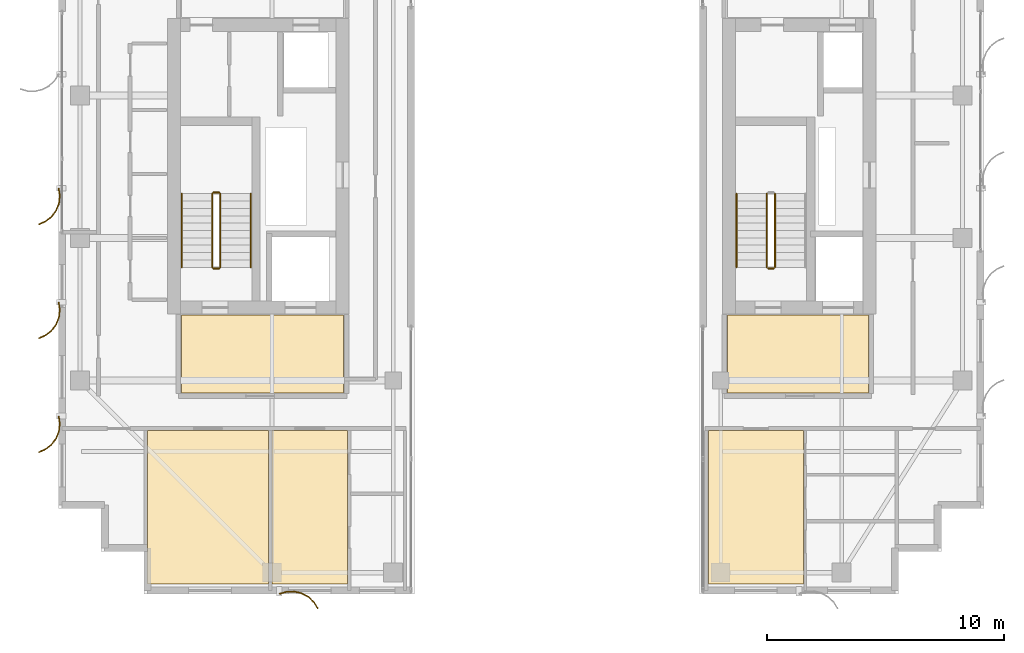
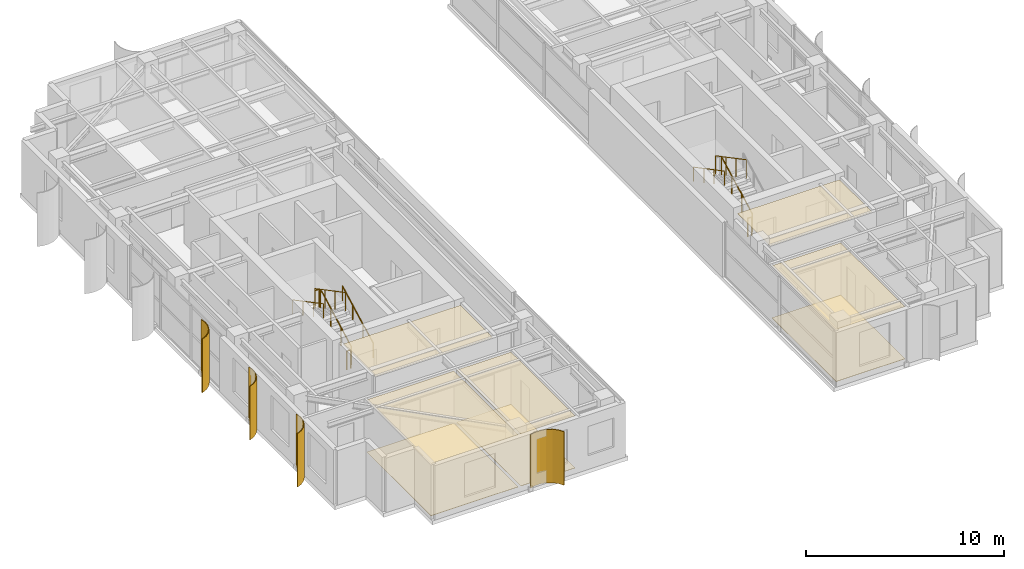
# One storey, part 22 of 24: 10 railings, 8 coverings, 4 shading devices.
"""IFC4 building model written with IfcOpenShell, lengths in metres."""

from ifc_helpers import new_model, si_unit, direction, frame, origin, origin_2d, place, context, subcontext, project, spatial, polyline, circle, outline, extrude, source, transform, mapped, material, layer, layer_set, type_object, element, save


model = new_model("IFC4")

# Units and contexts
model_context = context("Model", 3, precision=1e-05, world=origin(), true_north=direction((0.0, 1.0)))
body_context = subcontext(model_context, "Body", "Model", "MODEL_VIEW")
ifc_project = project(units=[si_unit("LENGTHUNIT", "METRE"), si_unit("AREAUNIT", "SQUARE_METRE"), si_unit("VOLUMEUNIT", "CUBIC_METRE"), si_unit("PLANEANGLEUNIT", "RADIAN"), si_unit("MASSUNIT", "GRAM", prefix="KILO")], contexts=[model_context])

# Site, building, storey
site_placement = place(None, origin())
site = spatial("IfcSite", under=ifc_project, at=site_placement, CompositionType="ELEMENT")
building_placement = place(site_placement, origin())
building = spatial("IfcBuilding", under=site, at=building_placement, Name="Khoralis Quay Care Tower", CompositionType="ELEMENT")
storey_placement = place(building_placement, frame((0.0, 0.0, 238.5)))
storey = spatial("IfcBuildingStorey", under=building, at=storey_placement, Name="L62", CompositionType="ELEMENT", Elevation=238.5)

# Coverings
ifc_material_1 = material(Name="Mineral-fibre acoustic ceiling tile")
ifc_layer_1 = layer(ifc_material_1, 0.01806640625)
ifc_layer_set_1 = layer_set([ifc_layer_1], Name="Mineral-fibre acoustic ceiling tile")
covering_type_1 = type_object("IfcCoveringType", Name="COV-CEIL-AC18", PredefinedType="CEILING", material=ifc_layer_set_1)
covering_1_placement = place(storey_placement, frame((0.0, 0.0, 3.2119140625)))
element("IfcCovering", 1, at=covering_1_placement, inside=storey, type_object=covering_type_1, Name="Suspended Acoustic Ceiling SP-L62-FFLOB-W", PredefinedType="CEILING", context=body_context, shape_type="SweptSolid", body=[
    extrude(outline(polyline([(8.179931640625, 11.47998046875), (15.02001953125, 11.47998046875), (15.02001953125, 14.75), (8.179931640625, 14.75), (8.179931640625, 11.47998046875)])), origin(), (0.0, 0.0, 1.0), 0.01806640625),
])
covering_2_placement = place(storey_placement, frame((0.0, 0.0, 3.2119140625)))
element("IfcCovering", 2, at=covering_2_placement, inside=storey, type_object=covering_type_1, Name="Suspended Acoustic Ceiling SP-L62-FFLOB-E", PredefinedType="CEILING", context=body_context, shape_type="SweptSolid", body=[
    extrude(outline(polyline([(31.179931640625, 11.47998046875), (37.1201171875, 11.47998046875), (37.1201171875, 14.75), (31.179931640625, 14.75), (31.179931640625, 11.47998046875)])), origin(), (0.0, 0.0, 1.0), 0.01806640625),
])
covering_3_placement = place(storey_placement, frame((0.0, 0.0, 3.2119140625)))
element("IfcCovering", 3, at=covering_3_placement, inside=storey, type_object=covering_type_1, Name="Suspended Acoustic Ceiling SP-L62-WS-COM0", PredefinedType="CEILING", context=body_context, shape_type="SweptSolid", body=[
    extrude(outline(polyline([(6.760009765625, 3.419921875), (11.840087890625, 3.419921875), (11.840087890625, 9.89990234375), (6.760009765625, 9.89990234375), (6.760009765625, 3.419921875)])), origin(), (0.0, 0.0, 1.0), 0.01806640625),
])
covering_4_placement = place(storey_placement, frame((0.0, 0.0, 3.2119140625)))
element("IfcCovering", 4, at=covering_4_placement, inside=storey, type_object=covering_type_1, Name="Suspended Acoustic Ceiling SP-L62-WS-CARE1", PredefinedType="CEILING", context=body_context, shape_type="SweptSolid", body=[
    extrude(outline(polyline([(12.0, 3.419921875), (15.169921875, 3.419921875), (15.169921875, 9.89990234375), (12.0, 9.89990234375), (12.0, 3.419921875)])), origin(), (0.0, 0.0, 1.0), 0.01806640625),
])
covering_5_placement = place(storey_placement, frame((0.0, 0.0, 3.2119140625)))
element("IfcCovering", 5, at=covering_5_placement, inside=storey, type_object=covering_type_1, Name="Suspended Acoustic Ceiling SP-L62-ES-LIV0", PredefinedType="CEILING", context=body_context, shape_type="SweptSolid", body=[
    extrude(outline(polyline([(30.3798828125, 3.419921875), (34.389892578125, 3.419921875), (34.389892578125, 9.89990234375), (30.3798828125, 9.89990234375), (30.3798828125, 3.419921875)])), origin(), (0.0, 0.0, 1.0), 0.01806640625),
])
ifc_material_2 = material(Name="Porcelain and non-slip vinyl flooring")
ifc_layer_2 = layer(ifc_material_2, 0.02001953125)
ifc_layer_set_2 = layer_set([ifc_layer_2], Name="Porcelain and non-slip vinyl flooring")
covering_type_2 = type_object("IfcCoveringType", Name="COV-FLOOR-20", PredefinedType="FLOORING", material=ifc_layer_set_2)
covering_6_placement = place(storey_placement, origin())
element("IfcCovering", 6, at=covering_6_placement, inside=storey, type_object=covering_type_2, Name="Resilient Healthcare Flooring SP-L62-WS-COM0", PredefinedType="FLOORING", context=body_context, shape_type="SweptSolid", body=[
    extrude(outline(polyline([(6.760009765625, 3.419921875), (11.840087890625, 3.419921875), (11.840087890625, 9.89990234375), (6.760009765625, 9.89990234375), (6.760009765625, 3.419921875)])), origin(), (0.0, 0.0, 1.0), 0.02001953125),
])
covering_7_placement = place(storey_placement, origin())
element("IfcCovering", 7, at=covering_7_placement, inside=storey, type_object=covering_type_2, Name="Resilient Healthcare Flooring SP-L62-WS-CARE1", PredefinedType="FLOORING", context=body_context, shape_type="SweptSolid", body=[
    extrude(outline(polyline([(12.0, 3.419921875), (15.169921875, 3.419921875), (15.169921875, 9.89990234375), (12.0, 9.89990234375), (12.0, 3.419921875)])), origin(), (0.0, 0.0, 1.0), 0.02001953125),
])
covering_8_placement = place(storey_placement, origin())
element("IfcCovering", 8, at=covering_8_placement, inside=storey, type_object=covering_type_2, Name="Resilient Healthcare Flooring SP-L62-ES-LIV0", PredefinedType="FLOORING", context=body_context, shape_type="SweptSolid", body=[
    extrude(outline(polyline([(30.3798828125, 3.419921875), (34.389892578125, 3.419921875), (34.389892578125, 9.89990234375), (30.3798828125, 9.89990234375), (30.3798828125, 3.419921875)])), origin(), (0.0, 0.0, 1.0), 0.02001953125),
])

# Railings
ifc_material_3 = material(Name="Brushed stainless steel", Category="steel")
railing_type_1 = type_object("IfcRailingType", Name="RL-GUARD-1150", PredefinedType="GUARDRAIL", material=ifc_material_3)
railing_1_placement = place(storey_placement, frame((9.820068359375, 16.77001953125, 0.16357421875)))
element("IfcRailing", 9, at=railing_1_placement, inside=storey, type_object=railing_type_1, Name="L62 ST-T1 stair guard 1", PredefinedType="GUARDRAIL", context=body_context, shape_type="SweptSolid", body=[
    extrude(circle(Radius=0.02392578125, at=origin_2d()), frame((0.0, 0.0, 1.1259765625), z_axis=(0.0, 0.884348015382, 0.466828220752), x_axis=(-1.0, 0.0, 0.0)), (0.0, 0.0, 1.0), 3.505615234375),
    extrude(circle(Radius=0.02099609375, at=origin_2d()), origin(), (0.0, 0.0, 1.0), 1.101806640625),
    extrude(circle(Radius=0.02099609375, at=origin_2d()), frame((0.0, 1.033447265625, 0.54541015625)), (0.0, 0.0, 1.0), 1.101806640625),
    extrude(circle(Radius=0.02099609375, at=origin_2d()), frame((0.0, 2.066650390625, 1.091064453125)), (0.0, 0.0, 1.0), 1.101806640625),
    extrude(circle(Radius=0.02099609375, at=origin_2d()), frame((0.0, 3.10009765625, 1.636474609375)), (0.0, 0.0, 1.0), 1.101806640625),
])
railing_2_placement = place(storey_placement, frame((9.77001953125, 19.919921875, 1.800048828125)))
element("IfcRailing", 10, at=railing_2_placement, inside=storey, type_object=railing_type_1, Name="L62 ST-T1 stair guard 2", PredefinedType="GUARDRAIL", context=body_context, shape_type="SweptSolid", body=[
    extrude(circle(Radius=0.02392578125, at=origin_2d()), frame((0.0, 0.0, 1.1259765625), z_axis=(-1.0, 0.0, 0.0), x_axis=(0.0, -1.0, 0.0)), (0.0, 0.0, 1.0), 0.239990234375),
    extrude(circle(Radius=0.02099609375, at=origin_2d()), origin(), (0.0, 0.0, 1.0), 1.101806640625),
    extrude(circle(Radius=0.02099609375, at=origin_2d()), frame((-0.239990234375, 0.0, 0.0)), (0.0, 0.0, 1.0), 1.101806640625),
])
railing_3_placement = place(storey_placement, frame((9.47998046875, 19.8701171875, 1.963623046875)))
element("IfcRailing", 11, at=railing_3_placement, inside=storey, type_object=railing_type_1, Name="L62 ST-T1 stair guard 3", PredefinedType="GUARDRAIL", context=body_context, shape_type="SweptSolid", body=[
    extrude(circle(Radius=0.02392578125, at=origin_2d()), frame((0.0, 0.0, 1.1259765625), z_axis=(0.0, -0.884348015382, 0.466828220752), x_axis=(1.0, 0.0, 0.0)), (0.0, 0.0, 1.0), 3.505615234375),
    extrude(circle(Radius=0.02099609375, at=origin_2d()), origin(), (0.0, 0.0, 1.0), 1.101806640625),
    extrude(circle(Radius=0.02099609375, at=origin_2d()), frame((0.0, -1.033447265625, 0.54541015625)), (0.0, 0.0, 1.0), 1.101806640625),
    extrude(circle(Radius=0.02099609375, at=origin_2d()), frame((0.0, -2.066650390625, 1.091064453125)), (0.0, 0.0, 1.0), 1.101806640625),
    extrude(circle(Radius=0.02099609375, at=origin_2d()), frame((0.0, -3.10009765625, 1.636474609375)), (0.0, 0.0, 1.0), 1.101806640625),
])
railing_4_placement = place(storey_placement, frame((9.77001953125, 16.719970703125, 0.0)))
element("IfcRailing", 12, at=railing_4_placement, inside=storey, type_object=railing_type_1, Name="L62 ST-T1 stair guard 4", PredefinedType="GUARDRAIL", context=body_context, shape_type="SweptSolid", body=[
    extrude(circle(Radius=0.02392578125, at=origin_2d()), frame((0.0, 0.0, 1.1259765625), z_axis=(-1.0, 0.0, 0.0), x_axis=(0.0, -1.0, 0.0)), (0.0, 0.0, 1.0), 0.239990234375),
    extrude(circle(Radius=0.02099609375, at=origin_2d()), origin(), (0.0, 0.0, 1.0), 1.101806640625),
    extrude(circle(Radius=0.02099609375, at=origin_2d()), frame((-0.239990234375, 0.0, 0.0)), (0.0, 0.0, 1.0), 1.101806640625),
])
railing_5_placement = place(storey_placement, frame((33.18994140625, 16.77001953125, 0.16357421875)))
element("IfcRailing", 13, at=railing_5_placement, inside=storey, type_object=railing_type_1, Name="L62 ST-T2 stair guard 1", PredefinedType="GUARDRAIL", context=body_context, shape_type="SweptSolid", body=[
    extrude(circle(Radius=0.02392578125, at=origin_2d()), frame((0.0, 0.0, 1.1259765625), z_axis=(0.0, 0.884348015382, 0.466828220752), x_axis=(-1.0, 0.0, 0.0)), (0.0, 0.0, 1.0), 3.505615234375),
    extrude(circle(Radius=0.02099609375, at=origin_2d()), origin(), (0.0, 0.0, 1.0), 1.101806640625),
    extrude(circle(Radius=0.02099609375, at=origin_2d()), frame((0.0, 1.033447265625, 0.54541015625)), (0.0, 0.0, 1.0), 1.101806640625),
    extrude(circle(Radius=0.02099609375, at=origin_2d()), frame((0.0, 2.066650390625, 1.091064453125)), (0.0, 0.0, 1.0), 1.101806640625),
    extrude(circle(Radius=0.02099609375, at=origin_2d()), frame((0.0, 3.10009765625, 1.636474609375)), (0.0, 0.0, 1.0), 1.101806640625),
])
railing_6_placement = place(storey_placement, frame((32.85009765625, 19.8701171875, 1.963623046875)))
element("IfcRailing", 14, at=railing_6_placement, inside=storey, type_object=railing_type_1, Name="L62 ST-T2 stair guard 3", PredefinedType="GUARDRAIL", context=body_context, shape_type="SweptSolid", body=[
    extrude(circle(Radius=0.02392578125, at=origin_2d()), frame((0.0, 0.0, 1.1259765625), z_axis=(0.0, -0.884348015382, 0.466828220752), x_axis=(1.0, 0.0, 0.0)), (0.0, 0.0, 1.0), 3.505615234375),
    extrude(circle(Radius=0.02099609375, at=origin_2d()), origin(), (0.0, 0.0, 1.0), 1.101806640625),
    extrude(circle(Radius=0.02099609375, at=origin_2d()), frame((0.0, -1.033447265625, 0.54541015625)), (0.0, 0.0, 1.0), 1.101806640625),
    extrude(circle(Radius=0.02099609375, at=origin_2d()), frame((0.0, -2.066650390625, 1.091064453125)), (0.0, 0.0, 1.0), 1.101806640625),
    extrude(circle(Radius=0.02099609375, at=origin_2d()), frame((0.0, -3.10009765625, 1.636474609375)), (0.0, 0.0, 1.0), 1.101806640625),
])
railing_7_placement = place(storey_placement, frame((33.139892578125, 16.719970703125, 0.0)))
element("IfcRailing", 15, at=railing_7_placement, inside=storey, type_object=railing_type_1, Name="L62 ST-T2 stair guard 4", PredefinedType="GUARDRAIL", context=body_context, shape_type="SweptSolid", body=[
    extrude(circle(Radius=0.02392578125, at=origin_2d()), frame((0.0, 0.0, 1.1259765625), z_axis=(-1.0, 0.0, 0.0), x_axis=(0.0, -1.0, 0.0)), (0.0, 0.0, 1.0), 0.239990234375),
    extrude(circle(Radius=0.02099609375, at=origin_2d()), origin(), (0.0, 0.0, 1.0), 1.101806640625),
    extrude(circle(Radius=0.02099609375, at=origin_2d()), frame((-0.239990234375, 0.0, 0.0)), (0.0, 0.0, 1.0), 1.101806640625),
])
railing_type_2 = type_object("IfcRailingType", Name="RL-HAND-900", PredefinedType="HANDRAIL", material=ifc_material_3)
railing_8_placement = place(storey_placement, frame((11.10009765625, 16.77001953125, 0.16357421875)))
element("IfcRailing", 16, at=railing_8_placement, inside=storey, type_object=railing_type_2, Name="L62 ST-T1 stair handrail 1", PredefinedType="HANDRAIL", context=body_context, shape_type="SweptSolid", body=[
    extrude(circle(Radius=0.02392578125, at=origin_2d()), frame((0.0, 0.0, 0.8759765625), z_axis=(0.0, 0.884348015382, 0.466828220752), x_axis=(-1.0, 0.0, 0.0)), (0.0, 0.0, 1.0), 3.505615234375),
    extrude(circle(Radius=0.02099609375, at=origin_2d()), origin(), (0.0, 0.0, 1.0), 0.851806640625),
    extrude(circle(Radius=0.02099609375, at=origin_2d()), frame((0.0, 1.033447265625, 0.54541015625)), (0.0, 0.0, 1.0), 0.851806640625),
    extrude(circle(Radius=0.02099609375, at=origin_2d()), frame((0.0, 2.066650390625, 1.091064453125)), (0.0, 0.0, 1.0), 0.851806640625),
    extrude(circle(Radius=0.02099609375, at=origin_2d()), frame((0.0, 3.10009765625, 1.636474609375)), (0.0, 0.0, 1.0), 0.851806640625),
])
for number, where, name in (
    (17, (8.199951171875, 19.8701171875, 1.963623046875), "L62 ST-T1 stair handrail 2"),
    (18, (31.570068359375, 19.8701171875, 1.963623046875), "L62 ST-T2 stair handrail 2"),
):
    element("IfcRailing", number, at=place(storey_placement, frame(where)), inside=storey, type_object=railing_type_2, Name=name, PredefinedType="HANDRAIL", context=body_context, shape_type="SweptSolid", body=[
        extrude(circle(Radius=0.02392578125, at=origin_2d()), frame((0.0, 0.0, 0.8759765625), z_axis=(0.0, -0.884348015382, 0.466828220752), x_axis=(1.0, 0.0, 0.0)), (0.0, 0.0, 1.0), 3.505615234375),
        extrude(circle(Radius=0.02099609375, at=origin_2d()), origin(), (0.0, 0.0, 1.0), 0.851806640625),
        extrude(circle(Radius=0.02099609375, at=origin_2d()), frame((0.0, -1.033447265625, 0.54541015625)), (0.0, 0.0, 1.0), 0.851806640625),
        extrude(circle(Radius=0.02099609375, at=origin_2d()), frame((0.0, -2.066650390625, 1.091064453125)), (0.0, 0.0, 1.0), 0.851806640625),
        extrude(circle(Radius=0.02099609375, at=origin_2d()), frame((0.0, -3.10009765625, 1.636474609375)), (0.0, 0.0, 1.0), 0.851806640625),
    ])

# Shading devices
ifc_material_4 = material(Name="Brushed pale anodised aluminium", Category="aluminium")
ifc_layer_3 = layer(ifc_material_4, 0.044921875)
ifc_layer_set_3 = layer_set([ifc_layer_3], Name="Brushed pale anodised aluminium")
shading_device_type = type_object("IfcShadingDeviceType", Name="SHD-FIN-1250", PredefinedType="USERDEFINED", material=ifc_layer_set_3)
shared_shape_1 = source(origin(), body_context, "Body", "SweptSolid", [
    extrude(outline(polyline([(0.0, 0.0), (-0.04833984375, 0.32275390625), (-0.01123046875, 0.64697265625), (0.1083984375, 0.950439453125), (0.302490234375, 1.212890625), (0.557861328125, 1.416015625), (0.85693359375, 1.546142578125), (0.869384765625, 1.5029296875), (0.5810546875, 1.37744140625), (0.334716796875, 1.181640625), (0.147705078125, 0.9287109375), (0.032470703125, 0.635986328125), (-0.003173828125, 0.323486328125), (0.043212890625, 0.012451171875), (0.0, 0.0)])), origin(), (0.0, 0.0, 1.0), 3.300048828125),
])
for number, where, z_axis, x_axis, name in (
    (19, (3.030029296875, 20.10009765625, 0.02001953125), (0.0, 0.0, 1.0), (-1.0, 0.0, 0.0), "L62 Curved Solar Fin P1E7-04"),
    (20, (3.030029296875, 15.300048828125, 0.02001953125), (0.0, 0.0, 1.0), (-1.0, 0.0, 0.0), "L62 Curved Solar Fin P1E7-05"),
    (21, (3.030029296875, 10.5, 0.02001953125), (0.0, 0.0, 1.0), (-1.0, 0.0, 0.0), "L62 Curved Solar Fin P1E7-06"),
):
    element("IfcShadingDevice", number, at=place(storey_placement, frame(where, z_axis=z_axis, x_axis=x_axis)), inside=storey, type_object=shading_device_type, Name=name, ObjectType="FIN", PredefinedType="USERDEFINED", context=body_context, shape_type="MappedRepresentation", body=[
        mapped(shared_shape_1, transform((0.0, 0.0, 0.0), scale=1.0)),
    ])
shared_shape_2 = source(origin(), body_context, "Body", "SweptSolid", [
    extrude(outline(polyline([(0.0, 0.0), (-0.0927734375, 0.31298828125), (-0.101318359375, 0.63916015625), (-0.025146484375, 0.956298828125), (0.130615234375, 1.2431640625), (0.355224609375, 1.479736328125), (0.633544921875, 1.650390625), (0.65185546875, 1.609130859375), (0.383544921875, 1.44482421875), (0.1669921875, 1.216796875), (0.01708984375, 0.940185546875), (-0.056396484375, 0.63427734375), (-0.04833984375, 0.31982421875), (0.041015625, 0.018310546875), (0.0, 0.0)])), origin(), (0.0, 0.0, 1.0), 3.300048828125),
])
shading_device_placement = place(storey_placement, frame((12.300048828125, 3.030029296875, 0.02001953125), z_axis=(0.0, 0.0, 1.0), x_axis=(0.0, -1.0, 0.0)))
element("IfcShadingDevice", 22, at=shading_device_placement, inside=storey, type_object=shading_device_type, Name="L62 Curved Solar Fin P1E0-01", ObjectType="FIN", PredefinedType="USERDEFINED", context=body_context, shape_type="MappedRepresentation", body=[
    mapped(shared_shape_2, transform((0.0, 0.0, 0.0), scale=1.0)),
])

save(model, "model.ifc")
